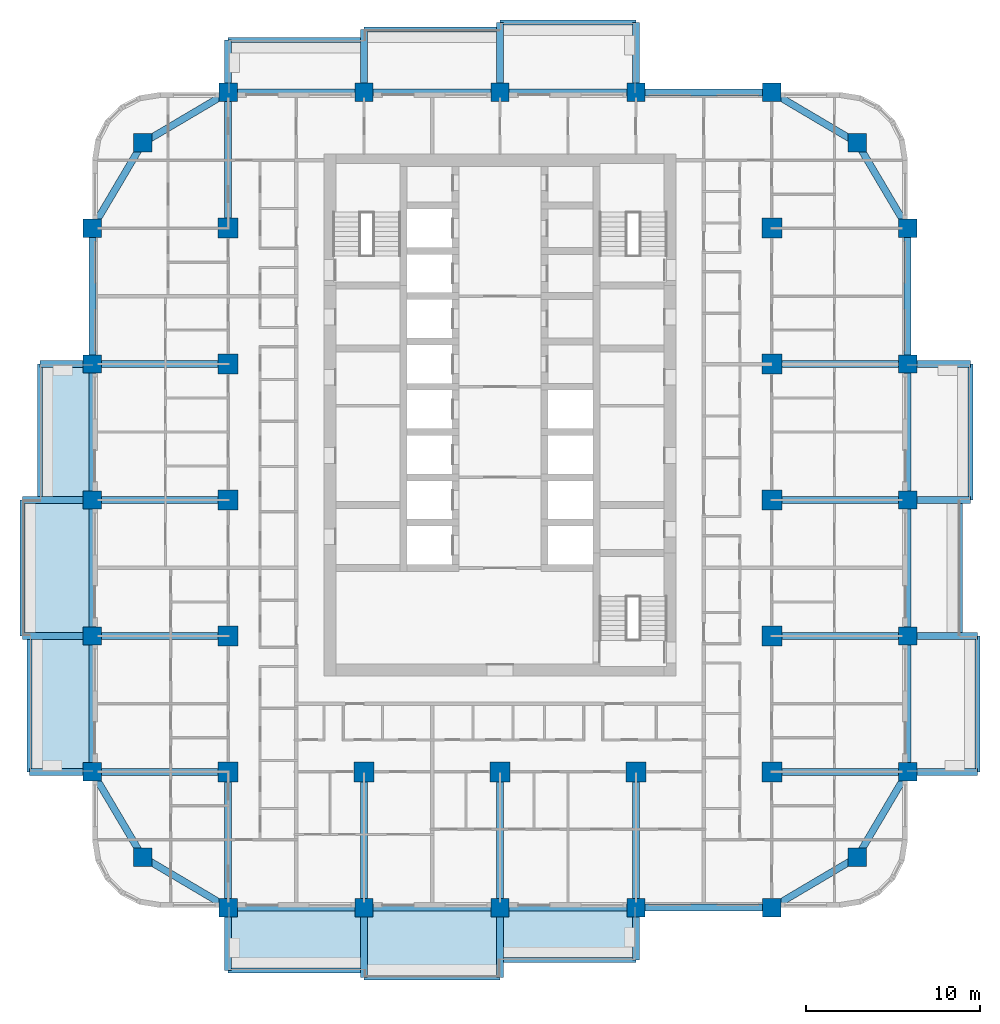
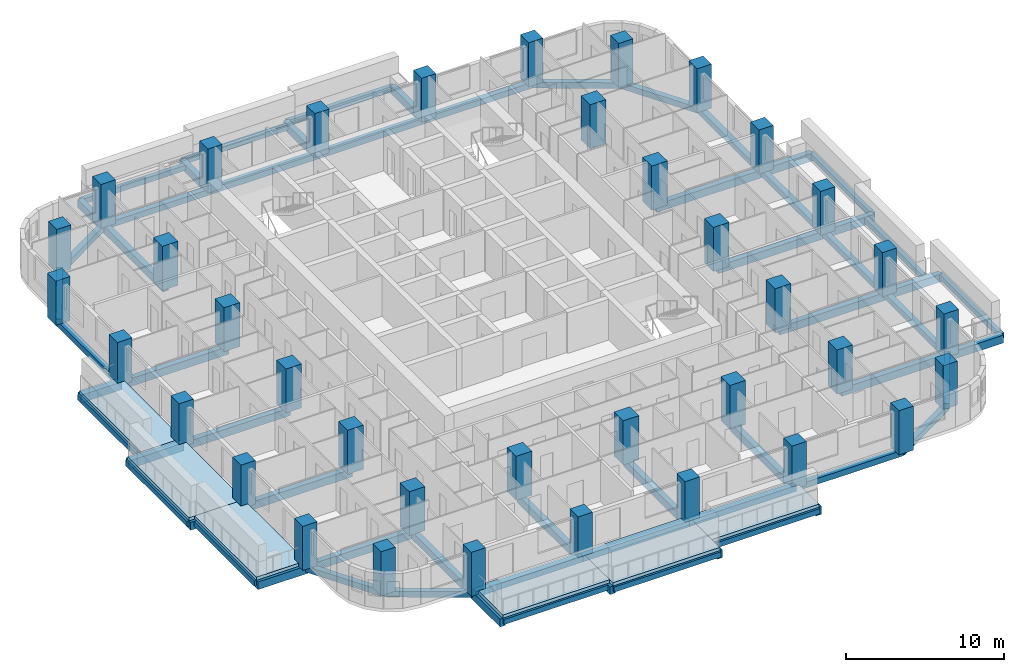
# One storey, part 1 of 17: 65 beams, 37 columns, 6 slabs.
"""IFC4 building model written with IfcOpenShell, lengths in metres."""

import ifcopenshell
import ifcopenshell.guid

model = None  # the IFC model being written
_history = None  # IfcOwnerHistory: only IFC2X3 demands one
_inside = {}  # id of a spatial element -> (the spatial element, [elements in it])
_under = {}  # id of a project, library or spatial element -> (it, [spatial elements below it])
_declared = {}  # id of a project -> (the project, [libraries it declares])
_typed = {}  # id of a type object -> (the type object, [elements of that type])
_made_of = {}  # id of a material, layer set ... -> (it, [elements and type objects made of it])


def new_model(schema):
    """Start an empty IFC model of exactly this schema.

    Asked for "IFC4X3", IfcOpenShell would pick the latest addendum, in which some entities
    have other attributes; the version numbers below select the first issue.
    IFC2X3 requires an IfcOwnerHistory on every rooted entity: one is made here for all.
    """
    global model, _history
    if schema == "IFC4X3":
        model = ifcopenshell.file(schema_version=(4, 3, 0, 0))
    else:
        model = ifcopenshell.file(schema=schema)
    _inside.clear()
    _under.clear()
    _declared.clear()
    _typed.clear()
    _made_of.clear()
    _history = None
    if model.schema == "IFC2X3":
        org = make("IfcOrganization", Name="unknown")
        user = make(
            "IfcPersonAndOrganization",
            ThePerson=make("IfcPerson", FamilyName="unknown"),
            TheOrganization=org,
        )
        app = make(
            "IfcApplication",
            ApplicationDeveloper=org,
            Version="unknown",
            ApplicationFullName="unknown",
            ApplicationIdentifier="unknown",
        )
        _history = make(
            "IfcOwnerHistory",
            OwningUser=user,
            OwningApplication=app,
            ChangeAction="ADDED",
            CreationDate=0,
        )
    return model


def make(cls, **values):
    """One entity of the class cls with the attributes given. An attribute that is None is left unset."""
    return model.create_entity(
        cls, **{name: value for name, value in values.items() if value is not None}
    )


def rooted(cls, **values):
    """An entity with a GlobalId (a new one), such as an element, a storey or a relation."""
    return make(cls, GlobalId=ifcopenshell.guid.new(), OwnerHistory=_history, **values)


def si_unit(unit_type, name, prefix=None):
    """IfcSIUnit, for example si_unit("LENGTHUNIT", "METRE", prefix="MILLI")."""
    return make("IfcSIUnit", UnitType=unit_type, Prefix=prefix, Name=name)


def assignment(units):
    """IfcUnitAssignment: the units of a project."""
    return None if units is None else make("IfcUnitAssignment", Units=units)


def point(xyz):
    """IfcCartesianPoint."""
    return None if xyz is None else make("IfcCartesianPoint", Coordinates=xyz)


def direction(xyz):
    """IfcDirection."""
    return None if xyz is None else make("IfcDirection", DirectionRatios=xyz)


def frame(location, z_axis=None, x_axis=None):
    """IfcAxis2Placement3D, a coordinate frame: its origin and axes. An axis left out is left unset."""
    return make(
        "IfcAxis2Placement3D",
        Location=point(location),
        Axis=direction(z_axis),
        RefDirection=direction(x_axis),
    )


def frame_2d(location, x_axis=None):
    """IfcAxis2Placement2D, a coordinate frame in the plane: its origin and x axis."""
    return make(
        "IfcAxis2Placement2D", Location=point(location), RefDirection=direction(x_axis)
    )


def origin():
    """The frame at (0, 0, 0) with its axes left unset."""
    return frame((0.0, 0.0, 0.0))


def origin_2d():
    """The frame at (0, 0) in the plane with its x axis left unset."""
    return frame_2d((0.0, 0.0))


def place(relative_to, where):
    """IfcLocalPlacement: puts the frame where relative to a parent placement (None: the world)."""
    return make(
        "IfcLocalPlacement", PlacementRelTo=relative_to, RelativePlacement=where
    )


def context(
    kind, dimensions, precision=None, world=None, true_north=None, identifier=None
):
    """IfcGeometricRepresentationContext, for example the 3D "Model" context."""
    return make(
        "IfcGeometricRepresentationContext",
        ContextIdentifier=identifier,
        ContextType=kind,
        CoordinateSpaceDimension=dimensions,
        Precision=precision,
        WorldCoordinateSystem=world,
        TrueNorth=true_north,
    )


def subcontext(parent, identifier, kind, view, scale=None):
    """IfcGeometricRepresentationSubContext, for example "Body" below "Model"."""
    return make(
        "IfcGeometricRepresentationSubContext",
        ContextIdentifier=identifier,
        ContextType=kind,
        ParentContext=parent,
        TargetScale=scale,
        TargetView=view,
    )


def project(units=None, contexts=None):
    """IfcProject with its units and contexts."""
    return rooted(
        "IfcProject",
        Name="project",
        RepresentationContexts=contexts,
        UnitsInContext=assignment(units),
    )


def spatial(cls, under=None, at=None, **own):
    """A site, building, storey or space (cls), placed at a placement, below another one or the project."""
    s = rooted(cls, ObjectPlacement=at, **own)
    if under is not None:
        _under.setdefault(under.id(), (under, []))[1].append(s)
    return s


def polyline(points):
    """IfcPolyline through the points."""
    return make("IfcPolyline", Points=[point(p) for p in points])


def profile(cls, at=None, kind="AREA", **sizes):
    """A parametric profile (cls). Its sizes go by their IFC names, for example OverallWidth=200.0."""
    return make(cls, ProfileType=kind, Position=at, **sizes)


def rectangle(**sizes):
    """IfcRectangleProfileDef."""
    return profile("IfcRectangleProfileDef", **sizes)


def outline(outer, holes=None, kind="AREA"):
    """IfcArbitraryClosedProfileDef: a profile drawn as a closed curve; with holes, ...WithVoids."""
    if holes is None:
        return make("IfcArbitraryClosedProfileDef", ProfileType=kind, OuterCurve=outer)
    return make(
        "IfcArbitraryProfileDefWithVoids",
        ProfileType=kind,
        OuterCurve=outer,
        InnerCurves=holes,
    )


def extrude(swept, where, along, depth):
    """IfcExtrudedAreaSolid: the profile swept, set in the frame where, extruded along a direction by depth."""
    return make(
        "IfcExtrudedAreaSolid",
        SweptArea=swept,
        Position=where,
        ExtrudedDirection=direction(along),
        Depth=depth,
    )


def shape(context_of_items, identifier, shape_type, items):
    """IfcShapeRepresentation: the items that make up one representation, for example the "Body"."""
    return make(
        "IfcShapeRepresentation",
        ContextOfItems=context_of_items,
        RepresentationIdentifier=identifier,
        RepresentationType=shape_type,
        Items=items,
    )


def material(Name=None, Category=None):
    """IfcMaterial."""
    return make("IfcMaterial", Name=Name, Category=Category)


def layer(
    of_material, thickness, ventilated=None, Name=None, Category=None, Priority=None
):
    """IfcMaterialLayer: one layer of a wall or slab, of a material (None: an air gap)."""
    return make(
        "IfcMaterialLayer",
        Material=of_material,
        LayerThickness=thickness,
        IsVentilated=ventilated,
        Name=Name,
        Category=Category,
        Priority=Priority,
    )


def layer_set(layers, Name=None):
    """IfcMaterialLayerSet."""
    return make("IfcMaterialLayerSet", MaterialLayers=layers, LayerSetName=Name)


def material_profile(
    of_material, cross_section, Name=None, Category=None, Priority=None
):
    """IfcMaterialProfile: a cross section and its material."""
    return make(
        "IfcMaterialProfile",
        Name=Name,
        Material=of_material,
        Profile=cross_section,
        Priority=Priority,
        Category=Category,
    )


def profile_set(profiles, Name=None, composite=None):
    """IfcMaterialProfileSet."""
    return make(
        "IfcMaterialProfileSet",
        Name=Name,
        MaterialProfiles=profiles,
        CompositeProfile=composite,
    )


def made_of(thing, what):
    """Note that an element or type object is made of a material, layer set ...; save() writes the relation."""
    if what is not None:
        _made_of.setdefault(what.id(), (what, []))[1].append(thing)
    return thing


def type_object(cls, material=None, **own):
    """A type object (cls), such as IfcWallType, which elements share."""
    return made_of(rooted(cls, **own), material)


def element(
    cls,
    number,
    at=None,
    inside=None,
    cuts=None,
    type_object=None,
    material=None,
    context=None,
    identifier="Body",
    shape_type=None,
    held_by="IfcProductDefinitionShape",
    body=None,
    shapes=None,
    **own,
):
    """One element of the class cls, such as IfcWall. Its Tag is "e" and its number.

    at: its placement. inside: the storey or other place that contains it. cuts: it is an
    opening in that element (IfcRelVoidsElement). A single representation is given by context,
    identifier, shape_type and body (its items); several are given by shapes. held_by: the class
    of the entity that holds the representations. save() writes the other relations.
    """
    e = rooted(cls, Tag="e%d" % number, ObjectPlacement=at, **own)
    if body is not None:
        shapes = [shape(context, identifier, shape_type, body)]
    if shapes is not None:
        e.Representation = make(held_by, Representations=shapes)
    if inside is not None:
        _inside.setdefault(inside.id(), (inside, []))[1].append(e)
    if cuts is not None:
        rooted(
            "IfcRelVoidsElement", RelatingBuildingElement=cuts, RelatedOpeningElement=e
        )
    if type_object is not None:
        _typed.setdefault(type_object.id(), (type_object, []))[1].append(e)
    return made_of(e, material)


def aggregate(whole, parts):
    """IfcRelAggregates: a whole, such as a stair, and the parts it consists of."""
    return rooted("IfcRelAggregates", RelatingObject=whole, RelatedObjects=parts)


def save(model, path):
    """Write the relations noted so far, then the file.

    IfcRelAggregates (storeys below a building ...), IfcRelContainedInSpatialStructure (elements
    in a storey), IfcRelDefinesByType, IfcRelAssociatesMaterial and IfcRelDeclares: one each for
    every whole, place, type object, material and project.
    """
    for whole, parts in _under.values():
        aggregate(whole, parts)
    for where, things in _inside.values():
        rooted(
            "IfcRelContainedInSpatialStructure",
            RelatedElements=things,
            RelatingStructure=where,
        )
    for kind, things in _typed.values():
        rooted("IfcRelDefinesByType", RelatedObjects=things, RelatingType=kind)
    for what, things in _made_of.values():
        rooted("IfcRelAssociatesMaterial", RelatedObjects=things, RelatingMaterial=what)
    for by, libraries in _declared.values():
        rooted("IfcRelDeclares", RelatingContext=by, RelatedDefinitions=libraries)
    model.write(path)


model = new_model("IFC4")

# Units and contexts
model_context = context("Model", 3, precision=1e-05, world=origin(), true_north=direction((0.0, 1.0)))
body_context = subcontext(model_context, "Body", "Model", "MODEL_VIEW")
ifc_project = project(units=[si_unit("LENGTHUNIT", "METRE"), si_unit("AREAUNIT", "SQUARE_METRE"), si_unit("VOLUMEUNIT", "CUBIC_METRE"), si_unit("PLANEANGLEUNIT", "RADIAN"), si_unit("MASSUNIT", "GRAM", prefix="KILO")], contexts=[model_context])

# Site, building, storey
site_placement = place(None, origin())
site = spatial("IfcSite", under=ifc_project, at=site_placement, CompositionType="ELEMENT")
building_placement = place(site_placement, origin())
building = spatial("IfcBuilding", under=site, at=building_placement, Name="Ludao Terraces", CompositionType="ELEMENT")
storey_placement = place(building_placement, frame((0.0, 0.0, 54.60009765625)))
storey = spatial("IfcBuildingStorey", under=building, at=storey_placement, Name="L14", CompositionType="ELEMENT", Elevation=54.60009765625)

# Columns
ifc_material_1 = material(Name="Concrete C60", Category="concrete")
ifc_material_profile_1 = material_profile(ifc_material_1, rectangle(XDim=1.050048828125, YDim=1.050048828125, at=origin_2d()), Name="1050 X 1050")
ifc_profile_set_1 = profile_set([ifc_material_profile_1], Name="Concrete C60")
column_type_1 = type_object("IfcColumnType", Name="RC column 1050x1050 C60", PredefinedType="COLUMN", material=ifc_profile_set_1)
for number, where, z_axis, x_axis, name in (
    (1, (64.5, 44.5, -0.25), (0.0, 0.0, 1.0), (1.0, 0.0, 0.0), "Column L14 C0029x0029"),
    (2, (105.5, 44.5, -0.25), (0.0, 0.0, 1.0), (1.0, 0.0, 0.0), "Column L14 C0439x0029"),
    (3, (64.5, 85.5, -0.25), (0.0, 0.0, 1.0), (1.0, 0.0, 0.0), "Column L14 C0029x0439"),
    (4, (105.5, 85.5, -0.25), (0.0, 0.0, 1.0), (1.0, 0.0, 0.0), "Column L14 C0439x0439"),
    (5, (61.60009765625, 49.39990234375, -0.25), (0.0, 0.0, 1.0), (1.0, 0.0, 0.0), "Column L14 F0000x0078"),
    (6, (108.39990234375, 49.39990234375, -0.25), (0.0, 0.0, 1.0), (1.0, 0.0, 0.0), "Column L14 F0468x0078"),
    (7, (69.39990234375, 41.60009765625, -0.25), (0.0, 0.0, 1.0), (1.0, 0.0, 0.0), "Column L14 F0078x0000"),
    (8, (69.39990234375, 88.39990234375, -0.25), (0.0, 0.0, 1.0), (1.0, 0.0, 0.0), "Column L14 F0078x0468"),
    (9, (61.60009765625, 57.199951171875, -0.25), (0.0, 0.0, 1.0), (1.0, 0.0, 0.0), "Column L14 F0000x0156"),
    (10, (108.39990234375, 57.199951171875, -0.25), (0.0, 0.0, 1.0), (1.0, 0.0, 0.0), "Column L14 F0468x0156"),
    (11, (77.199951171875, 41.60009765625, -0.25), (0.0, 0.0, 1.0), (1.0, 0.0, 0.0), "Column L14 F0156x0000"),
    (12, (77.199951171875, 88.39990234375, -0.25), (0.0, 0.0, 1.0), (1.0, 0.0, 0.0), "Column L14 F0156x0468"),
    (13, (61.60009765625, 65.0, -0.25), (0.0, 0.0, 1.0), (1.0, 0.0, 0.0), "Column L14 F0000x0234"),
    (14, (108.39990234375, 65.0, -0.25), (0.0, 0.0, 1.0), (1.0, 0.0, 0.0), "Column L14 F0468x0234"),
    (15, (85.0, 41.60009765625, -0.25), (0.0, 0.0, 1.0), (1.0, 0.0, 0.0), "Column L14 F0234x0000"),
    (16, (85.0, 88.39990234375, -0.25), (0.0, 0.0, 1.0), (1.0, 0.0, 0.0), "Column L14 F0234x0468"),
    (17, (61.60009765625, 72.800048828125, -0.25), (0.0, 0.0, 1.0), (1.0, 0.0, 0.0), "Column L14 F0000x0312"),
    (18, (108.39990234375, 72.800048828125, -0.25), (0.0, 0.0, 1.0), (1.0, 0.0, 0.0), "Column L14 F0468x0312"),
    (19, (92.800048828125, 41.60009765625, -0.25), (0.0, 0.0, 1.0), (1.0, 0.0, 0.0), "Column L14 F0312x0000"),
    (20, (92.800048828125, 88.39990234375, -0.25), (0.0, 0.0, 1.0), (1.0, 0.0, 0.0), "Column L14 F0312x0468"),
    (21, (61.60009765625, 80.60009765625, -0.25), (0.0, 0.0, 1.0), (1.0, 0.0, 0.0), "Column L14 F0000x0390"),
    (22, (108.39990234375, 80.60009765625, -0.25), (0.0, 0.0, 1.0), (1.0, 0.0, 0.0), "Column L14 F0468x0390"),
    (23, (100.60009765625, 41.60009765625, -0.25), (0.0, 0.0, 1.0), (1.0, 0.0, 0.0), "Column L14 F0390x0000"),
    (24, (100.60009765625, 88.39990234375, -0.25), (0.0, 0.0, 1.0), (1.0, 0.0, 0.0), "Column L14 F0390x0468"),
):
    element("IfcColumn", number, at=place(storey_placement, frame(where, z_axis=z_axis, x_axis=x_axis)), inside=storey, type_object=column_type_1, Name=name, PredefinedType="COLUMN", context=body_context, shape_type="SweptSolid", body=[
        extrude(rectangle(XDim=1.050048828125, YDim=1.050048828125, at=origin_2d()), origin(), (0.0, 0.0, 1.0), 3.39990234375),
    ])
ifc_material_profile_2 = material_profile(ifc_material_1, rectangle(XDim=1.14990234375, YDim=1.14990234375, at=origin_2d()), Name="1150 X 1150")
ifc_profile_set_2 = profile_set([ifc_material_profile_2], Name="Concrete C60")
column_type_2 = type_object("IfcColumnType", Name="RC column 1150x1150 C60", PredefinedType="COLUMN", material=ifc_profile_set_2)
for number, where, z_axis, x_axis, name in (
    (25, (69.39990234375, 49.39990234375, -0.25), (0.0, 0.0, 1.0), (1.0, 0.0, 0.0), "Column L14 S0078x0078"),
    (26, (69.39990234375, 57.199951171875, -0.25), (0.0, 0.0, 1.0), (1.0, 0.0, 0.0), "Column L14 S0078x0156"),
    (27, (69.39990234375, 65.0, -0.25), (0.0, 0.0, 1.0), (1.0, 0.0, 0.0), "Column L14 S0078x0234"),
    (28, (69.39990234375, 72.800048828125, -0.25), (0.0, 0.0, 1.0), (1.0, 0.0, 0.0), "Column L14 S0078x0312"),
    (29, (69.39990234375, 80.60009765625, -0.25), (0.0, 0.0, 1.0), (1.0, 0.0, 0.0), "Column L14 S0078x0390"),
    (30, (77.199951171875, 49.39990234375, -0.25), (0.0, 0.0, 1.0), (1.0, 0.0, 0.0), "Column L14 S0156x0078"),
    (31, (85.0, 49.39990234375, -0.25), (0.0, 0.0, 1.0), (1.0, 0.0, 0.0), "Column L14 S0234x0078"),
    (32, (92.800048828125, 49.39990234375, -0.25), (0.0, 0.0, 1.0), (1.0, 0.0, 0.0), "Column L14 S0312x0078"),
    (33, (100.60009765625, 49.39990234375, -0.25), (0.0, 0.0, 1.0), (1.0, 0.0, 0.0), "Column L14 S0390x0078"),
    (34, (100.60009765625, 57.199951171875, -0.25), (0.0, 0.0, 1.0), (1.0, 0.0, 0.0), "Column L14 S0390x0156"),
    (35, (100.60009765625, 65.0, -0.25), (0.0, 0.0, 1.0), (1.0, 0.0, 0.0), "Column L14 S0390x0234"),
    (36, (100.60009765625, 72.800048828125, -0.25), (0.0, 0.0, 1.0), (1.0, 0.0, 0.0), "Column L14 S0390x0312"),
    (37, (100.60009765625, 80.60009765625, -0.25), (0.0, 0.0, 1.0), (1.0, 0.0, 0.0), "Column L14 S0390x0390"),
):
    element("IfcColumn", number, at=place(storey_placement, frame(where, z_axis=z_axis, x_axis=x_axis)), inside=storey, type_object=column_type_2, Name=name, PredefinedType="COLUMN", context=body_context, shape_type="SweptSolid", body=[
        extrude(rectangle(XDim=1.14990234375, YDim=1.14990234375, at=origin_2d()), origin(), (0.0, 0.0, 1.0), 3.39990234375),
    ])

# Beams
ifc_material_2 = material(Name="Concrete C40", Category="concrete")
ifc_material_profile_3 = material_profile(ifc_material_2, rectangle(XDim=0.300048828125, YDim=0.39990234375, at=origin_2d()), Name="300 X 400")
ifc_profile_set_3 = profile_set([ifc_material_profile_3], Name="Concrete C40")
beam_type_1 = type_object("IfcBeamType", Name="RC beam 300x400 C40", PredefinedType="BEAM", material=ifc_profile_set_3)
for number, where, z_axis, x_axis, name in (
    (38, (69.39990234375, 38.0, -0.4501953125), (1.0, 0.0, 0.0), (0.0, 1.0, 0.0), "Balcony edge beam L14 S1"),
    (39, (77.199951171875, 37.60009765625, -0.4501953125), (1.0, 0.0, 0.0), (0.0, 1.0, 0.0), "Balcony edge beam L14 S2"),
    (40, (85.0, 38.60009765625, -0.4501953125), (1.0, 0.0, 0.0), (0.0, 1.0, 0.0), "Balcony edge beam L14 S3"),
    (41, (112.39990234375, 49.39990234375, -0.4501953125), (0.0, 1.0, 0.0), (-1.0, 0.0, 0.0), "Balcony edge beam L14 E1"),
    (42, (111.39990234375, 57.199951171875, -0.4501953125), (0.0, 1.0, 0.0), (-1.0, 0.0, 0.0), "Balcony edge beam L14 E2"),
    (43, (112.0, 65.0, -0.4501953125), (0.0, 1.0, 0.0), (-1.0, 0.0, 0.0), "Balcony edge beam L14 E3"),
    (44, (69.39990234375, 91.39990234375, -0.4501953125), (1.0, 0.0, 0.0), (0.0, 1.0, 0.0), "Balcony edge beam L14 N1"),
    (45, (77.199951171875, 92.0, -0.4501953125), (1.0, 0.0, 0.0), (0.0, 1.0, 0.0), "Balcony edge beam L14 N2"),
    (46, (85.0, 92.39990234375, -0.4501953125), (1.0, 0.0, 0.0), (0.0, 1.0, 0.0), "Balcony edge beam L14 N3"),
    (47, (58.0, 49.39990234375, -0.4501953125), (0.0, 1.0, 0.0), (-1.0, 0.0, 0.0), "Balcony edge beam L14 W1"),
    (48, (57.60009765625, 57.199951171875, -0.4501953125), (0.0, 1.0, 0.0), (-1.0, 0.0, 0.0), "Balcony edge beam L14 W2"),
    (49, (58.60009765625, 65.0, -0.4501953125), (0.0, 1.0, 0.0), (-1.0, 0.0, 0.0), "Balcony edge beam L14 W3"),
):
    element("IfcBeam", number, at=place(storey_placement, frame(where, z_axis=z_axis, x_axis=x_axis)), inside=storey, type_object=beam_type_1, Name=name, PredefinedType="BEAM", context=body_context, shape_type="SweptSolid", body=[
        extrude(rectangle(XDim=0.300048828125, YDim=0.39990234375, at=origin_2d()), origin(), (0.0, 0.0, 1.0), 7.800048828125),
    ])
ifc_material_profile_4 = material_profile(ifc_material_2, rectangle(XDim=0.39990234375, YDim=0.449951171875, at=origin_2d()), Name="400 X 450")
ifc_profile_set_4 = profile_set([ifc_material_profile_4], Name="Concrete C40")
beam_type_2 = type_object("IfcBeamType", Name="RC beam 400x450 C40", PredefinedType="BEAM", material=ifc_profile_set_4)
beam_1_placement = place(storey_placement, frame((64.5, 44.5, -0.47509765625), z_axis=(0.860579751256, -0.509315709288, 0.0), x_axis=(0.509315709288, 0.860579751256, 0.0)))
element("IfcBeam", 50, at=beam_1_placement, inside=storey, type_object=beam_type_2, Name="Spandrel beam L14 S1", PredefinedType="BEAM", context=body_context, shape_type="SweptSolid", body=[
    extrude(rectangle(XDim=0.39990234375, YDim=0.449951171875, at=origin_2d()), origin(), (0.0, 0.0, 1.0), 5.693603515625),
])
for number, where, z_axis, x_axis, name in (
    (51, (69.39990234375, 41.60009765625, -0.47509765625), (1.0, 0.0, 0.0), (0.0, 1.0, 0.0), "Spandrel beam L14 S2"),
    (52, (77.199951171875, 41.60009765625, -0.47509765625), (1.0, 0.0, 0.0), (0.0, 1.0, 0.0), "Spandrel beam L14 S3"),
    (53, (85.0, 41.60009765625, -0.47509765625), (1.0, 0.0, 0.0), (0.0, 1.0, 0.0), "Spandrel beam L14 S4"),
    (54, (92.800048828125, 41.60009765625, -0.47509765625), (1.0, 0.0, 0.0), (0.0, 1.0, 0.0), "Spandrel beam L14 S5"),
):
    element("IfcBeam", number, at=place(storey_placement, frame(where, z_axis=z_axis, x_axis=x_axis)), inside=storey, type_object=beam_type_2, Name=name, PredefinedType="BEAM", context=body_context, shape_type="SweptSolid", body=[
        extrude(rectangle(XDim=0.39990234375, YDim=0.449951171875, at=origin_2d()), origin(), (0.0, 0.0, 1.0), 7.800048828125),
    ])
for number, where, z_axis, x_axis, name in (
    (55, (100.60009765625, 41.60009765625, -0.47509765625), (0.860579751256, 0.509315709288, 0.0), (-0.509315709288, 0.860579751256, 0.0), "Spandrel beam L14 S6"),
    (56, (64.5, 85.5, -0.47509765625), (0.860579751256, 0.509315709288, 0.0), (-0.509315709288, 0.860579751256, 0.0), "Spandrel beam L14 N7"),
):
    element("IfcBeam", number, at=place(storey_placement, frame(where, z_axis=z_axis, x_axis=x_axis)), inside=storey, type_object=beam_type_2, Name=name, PredefinedType="BEAM", context=body_context, shape_type="SweptSolid", body=[
        extrude(rectangle(XDim=0.39990234375, YDim=0.449951171875, at=origin_2d()), origin(), (0.0, 0.0, 1.0), 5.693603515625),
    ])
for number, where, z_axis, x_axis, name in (
    (57, (69.39990234375, 88.39990234375, -0.47509765625), (1.0, 0.0, 0.0), (0.0, 1.0, 0.0), "Spandrel beam L14 N8"),
    (58, (77.199951171875, 88.39990234375, -0.47509765625), (1.0, 0.0, 0.0), (0.0, 1.0, 0.0), "Spandrel beam L14 N9"),
    (59, (85.0, 88.39990234375, -0.47509765625), (1.0, 0.0, 0.0), (0.0, 1.0, 0.0), "Spandrel beam L14 N10"),
    (60, (92.800048828125, 88.39990234375, -0.47509765625), (1.0, 0.0, 0.0), (0.0, 1.0, 0.0), "Spandrel beam L14 N11"),
):
    element("IfcBeam", number, at=place(storey_placement, frame(where, z_axis=z_axis, x_axis=x_axis)), inside=storey, type_object=beam_type_2, Name=name, PredefinedType="BEAM", context=body_context, shape_type="SweptSolid", body=[
        extrude(rectangle(XDim=0.39990234375, YDim=0.449951171875, at=origin_2d()), origin(), (0.0, 0.0, 1.0), 7.800048828125),
    ])
for number, where, z_axis, x_axis, name in (
    (61, (100.60009765625, 88.39990234375, -0.47509765625), (0.860579751256, -0.509315709288, 0.0), (0.509315709288, 0.860579751256, 0.0), "Spandrel beam L14 N12"),
    (62, (64.5, 44.5, -0.47509765625), (-0.509315709288, 0.860579751256, 0.0), (-0.860579751256, -0.509315709288, 0.0), "Spandrel beam L14 W13"),
):
    element("IfcBeam", number, at=place(storey_placement, frame(where, z_axis=z_axis, x_axis=x_axis)), inside=storey, type_object=beam_type_2, Name=name, PredefinedType="BEAM", context=body_context, shape_type="SweptSolid", body=[
        extrude(rectangle(XDim=0.39990234375, YDim=0.449951171875, at=origin_2d()), origin(), (0.0, 0.0, 1.0), 5.693603515625),
    ])
for number, where, z_axis, x_axis, name in (
    (63, (61.60009765625, 49.39990234375, -0.47509765625), (0.0, 1.0, 0.0), (-1.0, 0.0, 0.0), "Spandrel beam L14 W14"),
    (64, (61.60009765625, 57.199951171875, -0.47509765625), (0.0, 1.0, 0.0), (-1.0, 0.0, 0.0), "Spandrel beam L14 W15"),
    (65, (61.60009765625, 65.0, -0.47509765625), (0.0, 1.0, 0.0), (-1.0, 0.0, 0.0), "Spandrel beam L14 W16"),
    (66, (61.60009765625, 72.800048828125, -0.47509765625), (0.0, 1.0, 0.0), (-1.0, 0.0, 0.0), "Spandrel beam L14 W17"),
):
    element("IfcBeam", number, at=place(storey_placement, frame(where, z_axis=z_axis, x_axis=x_axis)), inside=storey, type_object=beam_type_2, Name=name, PredefinedType="BEAM", context=body_context, shape_type="SweptSolid", body=[
        extrude(rectangle(XDim=0.39990234375, YDim=0.449951171875, at=origin_2d()), origin(), (0.0, 0.0, 1.0), 7.800048828125),
    ])
for number, where, z_axis, x_axis, name in (
    (67, (61.60009765625, 80.60009765625, -0.47509765625), (0.509315709288, 0.860579751256, 0.0), (-0.860579751256, 0.509315709288, 0.0), "Spandrel beam L14 W18"),
    (68, (105.5, 44.5, -0.47509765625), (0.509315709288, 0.860579751256, 0.0), (-0.860579751256, 0.509315709288, 0.0), "Spandrel beam L14 E19"),
):
    element("IfcBeam", number, at=place(storey_placement, frame(where, z_axis=z_axis, x_axis=x_axis)), inside=storey, type_object=beam_type_2, Name=name, PredefinedType="BEAM", context=body_context, shape_type="SweptSolid", body=[
        extrude(rectangle(XDim=0.39990234375, YDim=0.449951171875, at=origin_2d()), origin(), (0.0, 0.0, 1.0), 5.693603515625),
    ])
for number, where, z_axis, x_axis, name in (
    (69, (108.39990234375, 49.39990234375, -0.47509765625), (0.0, 1.0, 0.0), (-1.0, 0.0, 0.0), "Spandrel beam L14 E20"),
    (70, (108.39990234375, 57.199951171875, -0.47509765625), (0.0, 1.0, 0.0), (-1.0, 0.0, 0.0), "Spandrel beam L14 E21"),
    (71, (108.39990234375, 65.0, -0.47509765625), (0.0, 1.0, 0.0), (-1.0, 0.0, 0.0), "Spandrel beam L14 E22"),
    (72, (108.39990234375, 72.800048828125, -0.47509765625), (0.0, 1.0, 0.0), (-1.0, 0.0, 0.0), "Spandrel beam L14 E23"),
):
    element("IfcBeam", number, at=place(storey_placement, frame(where, z_axis=z_axis, x_axis=x_axis)), inside=storey, type_object=beam_type_2, Name=name, PredefinedType="BEAM", context=body_context, shape_type="SweptSolid", body=[
        extrude(rectangle(XDim=0.39990234375, YDim=0.449951171875, at=origin_2d()), origin(), (0.0, 0.0, 1.0), 7.800048828125),
    ])
beam_2_placement = place(storey_placement, frame((108.39990234375, 80.60009765625, -0.47509765625), z_axis=(-0.509315709288, 0.860579751256, 0.0), x_axis=(-0.860579751256, -0.509315709288, 0.0)))
element("IfcBeam", 73, at=beam_2_placement, inside=storey, type_object=beam_type_2, Name="Spandrel beam L14 E24", PredefinedType="BEAM", context=body_context, shape_type="SweptSolid", body=[
    extrude(rectangle(XDim=0.39990234375, YDim=0.449951171875, at=origin_2d()), origin(), (0.0, 0.0, 1.0), 5.693603515625),
])
ifc_material_profile_5 = material_profile(ifc_material_2, rectangle(XDim=0.39990234375, YDim=0.60009765625, at=origin_2d()), Name="400 X 600")
ifc_profile_set_5 = profile_set([ifc_material_profile_5], Name="Concrete C40")
beam_type_3 = type_object("IfcBeamType", Name="RC beam 400x600 C40", PredefinedType="BEAM", material=ifc_profile_set_5)
beam_3_placement = place(storey_placement, frame((100.60009765625, 49.39990234375, -0.550048828125), z_axis=(1.0, 0.0, 0.0), x_axis=(0.0, 1.0, 0.0)))
element("IfcBeam", 74, at=beam_3_placement, inside=storey, type_object=beam_type_3, Name="Balcony beam L14 E494", PredefinedType="BEAM", context=body_context, shape_type="SweptSolid", body=[
    extrude(rectangle(XDim=0.39990234375, YDim=0.60009765625, at=origin_2d()), origin(), (0.0, 0.0, 1.0), 7.7998046875),
])
beam_4_placement = place(storey_placement, frame((108.39990234375, 49.39990234375, -0.550048828125), z_axis=(1.0, 0.0, 0.0), x_axis=(0.0, 1.0, 0.0)))
element("IfcBeam", 75, at=beam_4_placement, inside=storey, type_object=beam_type_3, Name="Balcony beam L14 E494", PredefinedType="BEAM", context=body_context, shape_type="SweptSolid", body=[
    extrude(rectangle(XDim=0.39990234375, YDim=0.60009765625, at=origin_2d()), origin(), (0.0, 0.0, 1.0), 4.0),
])
beam_5_placement = place(storey_placement, frame((100.60009765625, 57.199951171875, -0.550048828125), z_axis=(1.0, 0.0, 0.0), x_axis=(0.0, 1.0, 0.0)))
element("IfcBeam", 76, at=beam_5_placement, inside=storey, type_object=beam_type_3, Name="Balcony beam L14 E572", PredefinedType="BEAM", context=body_context, shape_type="SweptSolid", body=[
    extrude(rectangle(XDim=0.39990234375, YDim=0.60009765625, at=origin_2d()), origin(), (0.0, 0.0, 1.0), 7.7998046875),
])
beam_6_placement = place(storey_placement, frame((108.39990234375, 57.199951171875, -0.550048828125), z_axis=(1.0, 0.0, 0.0), x_axis=(0.0, 1.0, 0.0)))
element("IfcBeam", 77, at=beam_6_placement, inside=storey, type_object=beam_type_3, Name="Balcony beam L14 E572", PredefinedType="BEAM", context=body_context, shape_type="SweptSolid", body=[
    extrude(rectangle(XDim=0.39990234375, YDim=0.60009765625, at=origin_2d()), origin(), (0.0, 0.0, 1.0), 4.0),
])
beam_7_placement = place(storey_placement, frame((100.60009765625, 65.0, -0.550048828125), z_axis=(1.0, 0.0, 0.0), x_axis=(0.0, 1.0, 0.0)))
element("IfcBeam", 78, at=beam_7_placement, inside=storey, type_object=beam_type_3, Name="Balcony beam L14 E650", PredefinedType="BEAM", context=body_context, shape_type="SweptSolid", body=[
    extrude(rectangle(XDim=0.39990234375, YDim=0.60009765625, at=origin_2d()), origin(), (0.0, 0.0, 1.0), 7.7998046875),
])
beam_8_placement = place(storey_placement, frame((108.39990234375, 65.0, -0.550048828125), z_axis=(1.0, 0.0, 0.0), x_axis=(0.0, 1.0, 0.0)))
element("IfcBeam", 79, at=beam_8_placement, inside=storey, type_object=beam_type_3, Name="Balcony beam L14 E650", PredefinedType="BEAM", context=body_context, shape_type="SweptSolid", body=[
    extrude(rectangle(XDim=0.39990234375, YDim=0.60009765625, at=origin_2d()), origin(), (0.0, 0.0, 1.0), 3.60009765625),
])
beam_9_placement = place(storey_placement, frame((100.60009765625, 72.800048828125, -0.550048828125), z_axis=(1.0, 0.0, 0.0), x_axis=(0.0, 1.0, 0.0)))
element("IfcBeam", 80, at=beam_9_placement, inside=storey, type_object=beam_type_3, Name="Balcony beam L14 E728", PredefinedType="BEAM", context=body_context, shape_type="SweptSolid", body=[
    extrude(rectangle(XDim=0.39990234375, YDim=0.60009765625, at=origin_2d()), origin(), (0.0, 0.0, 1.0), 7.7998046875),
])
beam_10_placement = place(storey_placement, frame((108.39990234375, 72.800048828125, -0.550048828125), z_axis=(1.0, 0.0, 0.0), x_axis=(0.0, 1.0, 0.0)))
element("IfcBeam", 81, at=beam_10_placement, inside=storey, type_object=beam_type_3, Name="Balcony beam L14 E728", PredefinedType="BEAM", context=body_context, shape_type="SweptSolid", body=[
    extrude(rectangle(XDim=0.39990234375, YDim=0.60009765625, at=origin_2d()), origin(), (0.0, 0.0, 1.0), 3.60009765625),
])
beam_11_placement = place(storey_placement, frame((69.39990234375, 80.60009765625, -0.550048828125), z_axis=(0.0, 1.0, 0.0), x_axis=(-1.0, 0.0, 0.0)))
element("IfcBeam", 82, at=beam_11_placement, inside=storey, type_object=beam_type_3, Name="Balcony beam L14 N694", PredefinedType="BEAM", context=body_context, shape_type="SweptSolid", body=[
    extrude(rectangle(XDim=0.39990234375, YDim=0.60009765625, at=origin_2d()), origin(), (0.0, 0.0, 1.0), 7.7998046875),
])
beam_12_placement = place(storey_placement, frame((69.39990234375, 88.39990234375, -0.550048828125), z_axis=(0.0, 1.0, 0.0), x_axis=(-1.0, 0.0, 0.0)))
element("IfcBeam", 83, at=beam_12_placement, inside=storey, type_object=beam_type_3, Name="Balcony beam L14 N694", PredefinedType="BEAM", context=body_context, shape_type="SweptSolid", body=[
    extrude(rectangle(XDim=0.39990234375, YDim=0.60009765625, at=origin_2d()), origin(), (0.0, 0.0, 1.0), 3.0),
])
beam_13_placement = place(storey_placement, frame((77.199951171875, 88.39990234375, -0.550048828125), z_axis=(0.0, 1.0, 0.0), x_axis=(-1.0, 0.0, 0.0)))
element("IfcBeam", 84, at=beam_13_placement, inside=storey, type_object=beam_type_3, Name="Balcony beam L14 N772", PredefinedType="BEAM", context=body_context, shape_type="SweptSolid", body=[
    extrude(rectangle(XDim=0.39990234375, YDim=0.60009765625, at=origin_2d()), origin(), (0.0, 0.0, 1.0), 3.60009765625),
])
for number, where, z_axis, x_axis, name in (
    (85, (85.0, 88.39990234375, -0.550048828125), (0.0, 1.0, 0.0), (-1.0, 0.0, 0.0), "Balcony beam L14 N850"),
    (86, (92.800048828125, 88.39990234375, -0.550048828125), (0.0, 1.0, 0.0), (-1.0, 0.0, 0.0), "Balcony beam L14 N928"),
):
    element("IfcBeam", number, at=place(storey_placement, frame(where, z_axis=z_axis, x_axis=x_axis)), inside=storey, type_object=beam_type_3, Name=name, PredefinedType="BEAM", context=body_context, shape_type="SweptSolid", body=[
        extrude(rectangle(XDim=0.39990234375, YDim=0.60009765625, at=origin_2d()), origin(), (0.0, 0.0, 1.0), 4.0),
    ])
beam_14_placement = place(storey_placement, frame((69.39990234375, 49.39990234375, -0.550048828125), z_axis=(0.0, -1.0, 0.0), x_axis=(1.0, 0.0, 0.0)))
element("IfcBeam", 87, at=beam_14_placement, inside=storey, type_object=beam_type_3, Name="Balcony beam L14 S694", PredefinedType="BEAM", context=body_context, shape_type="SweptSolid", body=[
    extrude(rectangle(XDim=0.39990234375, YDim=0.60009765625, at=origin_2d()), origin(), (0.0, 0.0, 1.0), 7.7998046875),
])
beam_15_placement = place(storey_placement, frame((69.39990234375, 41.60009765625, -0.550048828125), z_axis=(0.0, -1.0, 0.0), x_axis=(1.0, 0.0, 0.0)))
element("IfcBeam", 88, at=beam_15_placement, inside=storey, type_object=beam_type_3, Name="Balcony beam L14 S694", PredefinedType="BEAM", context=body_context, shape_type="SweptSolid", body=[
    extrude(rectangle(XDim=0.39990234375, YDim=0.60009765625, at=origin_2d()), origin(), (0.0, 0.0, 1.0), 3.60009765625),
])
beam_16_placement = place(storey_placement, frame((77.199951171875, 49.39990234375, -0.550048828125), z_axis=(0.0, -1.0, 0.0), x_axis=(1.0, 0.0, 0.0)))
element("IfcBeam", 89, at=beam_16_placement, inside=storey, type_object=beam_type_3, Name="Balcony beam L14 S772", PredefinedType="BEAM", context=body_context, shape_type="SweptSolid", body=[
    extrude(rectangle(XDim=0.39990234375, YDim=0.60009765625, at=origin_2d()), origin(), (0.0, 0.0, 1.0), 7.7998046875),
])
beam_17_placement = place(storey_placement, frame((77.199951171875, 41.60009765625, -0.550048828125), z_axis=(0.0, -1.0, 0.0), x_axis=(1.0, 0.0, 0.0)))
element("IfcBeam", 90, at=beam_17_placement, inside=storey, type_object=beam_type_3, Name="Balcony beam L14 S772", PredefinedType="BEAM", context=body_context, shape_type="SweptSolid", body=[
    extrude(rectangle(XDim=0.39990234375, YDim=0.60009765625, at=origin_2d()), origin(), (0.0, 0.0, 1.0), 4.0),
])
beam_18_placement = place(storey_placement, frame((85.0, 49.39990234375, -0.550048828125), z_axis=(0.0, -1.0, 0.0), x_axis=(1.0, 0.0, 0.0)))
element("IfcBeam", 91, at=beam_18_placement, inside=storey, type_object=beam_type_3, Name="Balcony beam L14 S850", PredefinedType="BEAM", context=body_context, shape_type="SweptSolid", body=[
    extrude(rectangle(XDim=0.39990234375, YDim=0.60009765625, at=origin_2d()), origin(), (0.0, 0.0, 1.0), 7.7998046875),
])
beam_19_placement = place(storey_placement, frame((85.0, 41.60009765625, -0.550048828125), z_axis=(0.0, -1.0, 0.0), x_axis=(1.0, 0.0, 0.0)))
element("IfcBeam", 92, at=beam_19_placement, inside=storey, type_object=beam_type_3, Name="Balcony beam L14 S850", PredefinedType="BEAM", context=body_context, shape_type="SweptSolid", body=[
    extrude(rectangle(XDim=0.39990234375, YDim=0.60009765625, at=origin_2d()), origin(), (0.0, 0.0, 1.0), 4.0),
])
beam_20_placement = place(storey_placement, frame((92.800048828125, 49.39990234375, -0.550048828125), z_axis=(0.0, -1.0, 0.0), x_axis=(1.0, 0.0, 0.0)))
element("IfcBeam", 93, at=beam_20_placement, inside=storey, type_object=beam_type_3, Name="Balcony beam L14 S928", PredefinedType="BEAM", context=body_context, shape_type="SweptSolid", body=[
    extrude(rectangle(XDim=0.39990234375, YDim=0.60009765625, at=origin_2d()), origin(), (0.0, 0.0, 1.0), 7.7998046875),
])
beam_21_placement = place(storey_placement, frame((92.800048828125, 41.60009765625, -0.550048828125), z_axis=(0.0, -1.0, 0.0), x_axis=(1.0, 0.0, 0.0)))
element("IfcBeam", 94, at=beam_21_placement, inside=storey, type_object=beam_type_3, Name="Balcony beam L14 S928", PredefinedType="BEAM", context=body_context, shape_type="SweptSolid", body=[
    extrude(rectangle(XDim=0.39990234375, YDim=0.60009765625, at=origin_2d()), origin(), (0.0, 0.0, 1.0), 3.0),
])
beam_22_placement = place(storey_placement, frame((69.39990234375, 49.39990234375, -0.550048828125), z_axis=(-1.0, 0.0, 0.0), x_axis=(0.0, -1.0, 0.0)))
element("IfcBeam", 95, at=beam_22_placement, inside=storey, type_object=beam_type_3, Name="Balcony beam L14 W494", PredefinedType="BEAM", context=body_context, shape_type="SweptSolid", body=[
    extrude(rectangle(XDim=0.39990234375, YDim=0.60009765625, at=origin_2d()), origin(), (0.0, 0.0, 1.0), 7.7998046875),
])
beam_23_placement = place(storey_placement, frame((61.60009765625, 49.39990234375, -0.550048828125), z_axis=(-1.0, 0.0, 0.0), x_axis=(0.0, -1.0, 0.0)))
element("IfcBeam", 96, at=beam_23_placement, inside=storey, type_object=beam_type_3, Name="Balcony beam L14 W494", PredefinedType="BEAM", context=body_context, shape_type="SweptSolid", body=[
    extrude(rectangle(XDim=0.39990234375, YDim=0.60009765625, at=origin_2d()), origin(), (0.0, 0.0, 1.0), 3.60009765625),
])
beam_24_placement = place(storey_placement, frame((69.39990234375, 57.199951171875, -0.550048828125), z_axis=(-1.0, 0.0, 0.0), x_axis=(0.0, -1.0, 0.0)))
element("IfcBeam", 97, at=beam_24_placement, inside=storey, type_object=beam_type_3, Name="Balcony beam L14 W572", PredefinedType="BEAM", context=body_context, shape_type="SweptSolid", body=[
    extrude(rectangle(XDim=0.39990234375, YDim=0.60009765625, at=origin_2d()), origin(), (0.0, 0.0, 1.0), 7.7998046875),
])
beam_25_placement = place(storey_placement, frame((61.60009765625, 57.199951171875, -0.550048828125), z_axis=(-1.0, 0.0, 0.0), x_axis=(0.0, -1.0, 0.0)))
element("IfcBeam", 98, at=beam_25_placement, inside=storey, type_object=beam_type_3, Name="Balcony beam L14 W572", PredefinedType="BEAM", context=body_context, shape_type="SweptSolid", body=[
    extrude(rectangle(XDim=0.39990234375, YDim=0.60009765625, at=origin_2d()), origin(), (0.0, 0.0, 1.0), 4.0),
])
beam_26_placement = place(storey_placement, frame((69.39990234375, 65.0, -0.550048828125), z_axis=(-1.0, 0.0, 0.0), x_axis=(0.0, -1.0, 0.0)))
element("IfcBeam", 99, at=beam_26_placement, inside=storey, type_object=beam_type_3, Name="Balcony beam L14 W650", PredefinedType="BEAM", context=body_context, shape_type="SweptSolid", body=[
    extrude(rectangle(XDim=0.39990234375, YDim=0.60009765625, at=origin_2d()), origin(), (0.0, 0.0, 1.0), 7.7998046875),
])
beam_27_placement = place(storey_placement, frame((61.60009765625, 65.0, -0.550048828125), z_axis=(-1.0, 0.0, 0.0), x_axis=(0.0, -1.0, 0.0)))
element("IfcBeam", 100, at=beam_27_placement, inside=storey, type_object=beam_type_3, Name="Balcony beam L14 W650", PredefinedType="BEAM", context=body_context, shape_type="SweptSolid", body=[
    extrude(rectangle(XDim=0.39990234375, YDim=0.60009765625, at=origin_2d()), origin(), (0.0, 0.0, 1.0), 4.0),
])
beam_28_placement = place(storey_placement, frame((69.39990234375, 72.800048828125, -0.550048828125), z_axis=(-1.0, 0.0, 0.0), x_axis=(0.0, -1.0, 0.0)))
element("IfcBeam", 101, at=beam_28_placement, inside=storey, type_object=beam_type_3, Name="Balcony beam L14 W728", PredefinedType="BEAM", context=body_context, shape_type="SweptSolid", body=[
    extrude(rectangle(XDim=0.39990234375, YDim=0.60009765625, at=origin_2d()), origin(), (0.0, 0.0, 1.0), 7.7998046875),
])
beam_29_placement = place(storey_placement, frame((61.60009765625, 72.800048828125, -0.550048828125), z_axis=(-1.0, 0.0, 0.0), x_axis=(0.0, -1.0, 0.0)))
element("IfcBeam", 102, at=beam_29_placement, inside=storey, type_object=beam_type_3, Name="Balcony beam L14 W728", PredefinedType="BEAM", context=body_context, shape_type="SweptSolid", body=[
    extrude(rectangle(XDim=0.39990234375, YDim=0.60009765625, at=origin_2d()), origin(), (0.0, 0.0, 1.0), 3.0),
])

# Slabs
ifc_layer = layer(ifc_material_2, 0.25)
ifc_layer_set = layer_set([ifc_layer], Name="Balcony slab 250 C40")
slab_type = type_object("IfcSlabType", Name="Balcony slab 250 C40", PredefinedType="USERDEFINED", material=ifc_layer_set)
slab_1_placement = place(storey_placement, frame((0.0, 0.0, -0.25)))
element("IfcSlab", 103, at=slab_1_placement, inside=storey, type_object=slab_type, Name="Balcony L14 S1", ObjectType="BALCONY", PredefinedType="USERDEFINED", context=body_context, shape_type="SweptSolid", body=[
    extrude(outline(polyline([(69.39990234375, 38.0), (77.199951171875, 38.0), (77.199951171875, 41.60009765625), (69.39990234375, 41.60009765625), (69.39990234375, 38.0)])), origin(), (0.0, 0.0, 1.0), 0.25),
])
slab_2_placement = place(storey_placement, frame((0.0, 0.0, -0.25)))
element("IfcSlab", 104, at=slab_2_placement, inside=storey, type_object=slab_type, Name="Balcony L14 S2", ObjectType="BALCONY", PredefinedType="USERDEFINED", context=body_context, shape_type="SweptSolid", body=[
    extrude(outline(polyline([(77.199951171875, 37.60009765625), (85.0, 37.60009765625), (85.0, 41.60009765625), (77.199951171875, 41.60009765625), (77.199951171875, 37.60009765625)])), origin(), (0.0, 0.0, 1.0), 0.25),
])
slab_3_placement = place(storey_placement, frame((0.0, 0.0, -0.25)))
element("IfcSlab", 105, at=slab_3_placement, inside=storey, type_object=slab_type, Name="Balcony L14 S3", ObjectType="BALCONY", PredefinedType="USERDEFINED", context=body_context, shape_type="SweptSolid", body=[
    extrude(outline(polyline([(85.0, 38.60009765625), (92.800048828125, 38.60009765625), (92.800048828125, 41.60009765625), (85.0, 41.60009765625), (85.0, 38.60009765625)])), origin(), (0.0, 0.0, 1.0), 0.25),
])
slab_4_placement = place(storey_placement, frame((0.0, 0.0, -0.25)))
element("IfcSlab", 106, at=slab_4_placement, inside=storey, type_object=slab_type, Name="Balcony L14 W1", ObjectType="BALCONY", PredefinedType="USERDEFINED", context=body_context, shape_type="SweptSolid", body=[
    extrude(outline(polyline([(58.0, 49.39990234375), (61.60009765625, 49.39990234375), (61.60009765625, 57.199951171875), (58.0, 57.199951171875), (58.0, 49.39990234375)])), origin(), (0.0, 0.0, 1.0), 0.25),
])
slab_5_placement = place(storey_placement, frame((0.0, 0.0, -0.25)))
element("IfcSlab", 107, at=slab_5_placement, inside=storey, type_object=slab_type, Name="Balcony L14 W2", ObjectType="BALCONY", PredefinedType="USERDEFINED", context=body_context, shape_type="SweptSolid", body=[
    extrude(outline(polyline([(57.60009765625, 57.199951171875), (61.60009765625, 57.199951171875), (61.60009765625, 65.0), (57.60009765625, 65.0), (57.60009765625, 57.199951171875)])), origin(), (0.0, 0.0, 1.0), 0.25),
])
slab_6_placement = place(storey_placement, frame((0.0, 0.0, -0.25)))
element("IfcSlab", 108, at=slab_6_placement, inside=storey, type_object=slab_type, Name="Balcony L14 W3", ObjectType="BALCONY", PredefinedType="USERDEFINED", context=body_context, shape_type="SweptSolid", body=[
    extrude(outline(polyline([(58.60009765625, 65.0), (61.60009765625, 65.0), (61.60009765625, 72.800048828125), (58.60009765625, 72.800048828125), (58.60009765625, 65.0)])), origin(), (0.0, 0.0, 1.0), 0.25),
])

save(model, "model.ifc")
